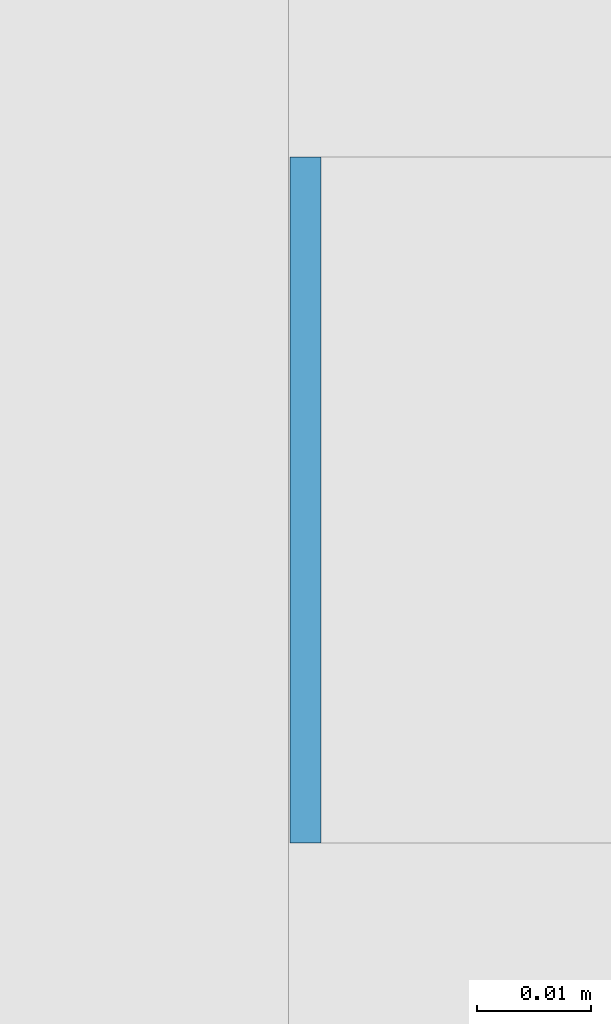
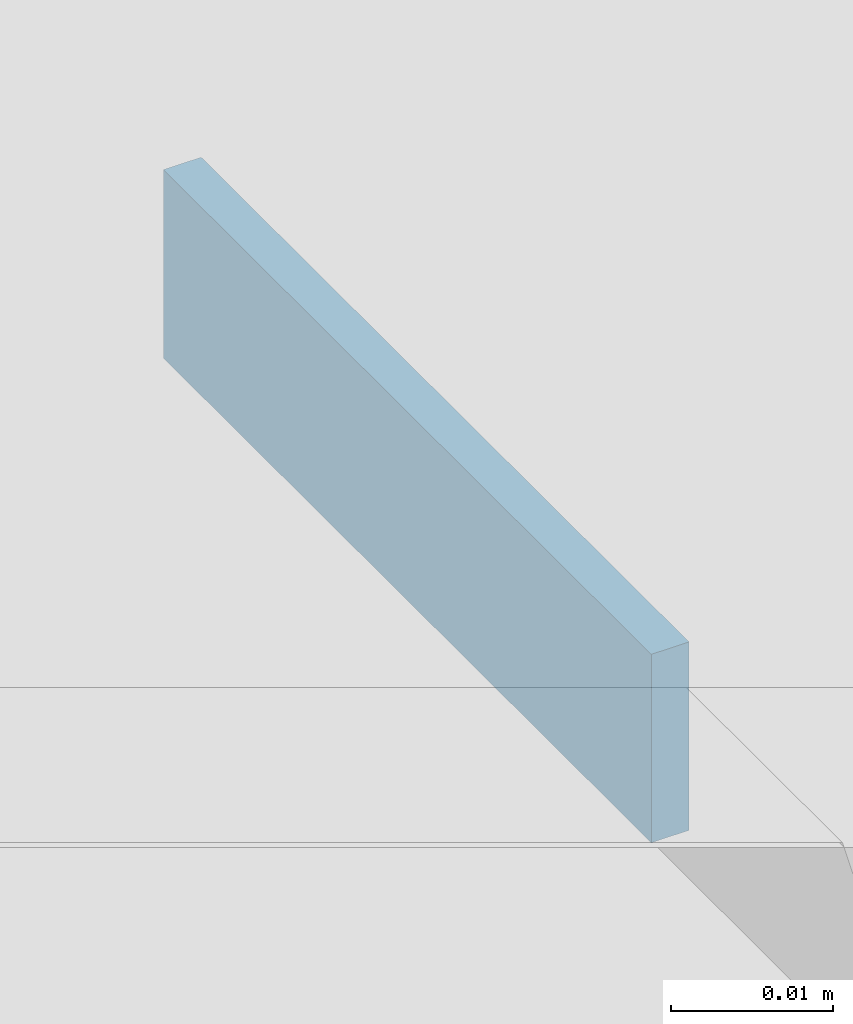
# One storey, part 627 of 646: 1 discrete accessory.
"""IFC4 building model written with IfcOpenShell, lengths in metres."""

from ifc_helpers import new_model, si_unit, direction, frame, origin, origin_2d, place, context, subcontext, project, spatial, rectangle, extrude, material, type_object, element, save


model = new_model("IFC4")

# Units and contexts
model_context = context("Model", 3, precision=1e-05, world=origin(), true_north=direction((0.0, 1.0)))
body_context = subcontext(model_context, "Body", "Model", "MODEL_VIEW")
ifc_project = project(units=[si_unit("LENGTHUNIT", "METRE"), si_unit("AREAUNIT", "SQUARE_METRE"), si_unit("VOLUMEUNIT", "CUBIC_METRE"), si_unit("PLANEANGLEUNIT", "RADIAN"), si_unit("MASSUNIT", "GRAM", prefix="KILO")], contexts=[model_context])

# Site, building, storey
site_placement = place(None, origin())
site = spatial("IfcSite", under=ifc_project, at=site_placement, CompositionType="ELEMENT")
building_placement = place(site_placement, origin())
building = spatial("IfcBuilding", under=site, at=building_placement, Name="Silverbay Arena", CompositionType="ELEMENT")
storey_placement = place(building_placement, frame((0.0, 0.0, 33.5)))
storey = spatial("IfcBuildingStorey", under=building, at=storey_placement, Name="L05", CompositionType="ELEMENT", Elevation=33.5)

# Discrete accessory
ifc_material = material(Name="Steel S355", Category="steel")
discrete_accessory_type = type_object("IfcDiscreteAccessoryType", Name="Steel bracket plate", PredefinedType="BRACKET", material=ifc_material)
discrete_accessory_placement = place(storey_placement, frame((207.128662109375, 152.969970703125, 12.98583984375), z_axis=(0.0, 0.0, 1.0), x_axis=(1.0, 0.0, 0.0)))
element("IfcDiscreteAccessory", 1, at=discrete_accessory_placement, inside=storey, type_object=discrete_accessory_type, Name="Curtain wall packing plate", PredefinedType="BRACKET", context=body_context, shape_type="SweptSolid", body=[
    extrude(rectangle(XDim=0.002685546875, YDim=0.06005859375, at=origin_2d()), origin(), (0.0, 0.0, 1.0), 0.01416015625),
])

save(model, "model.ifc")
